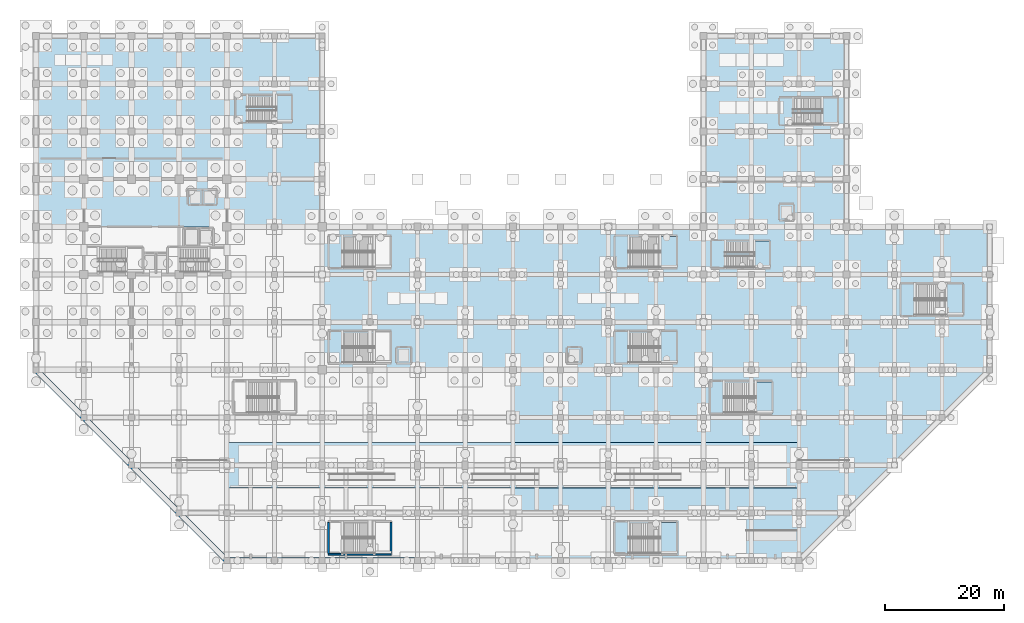
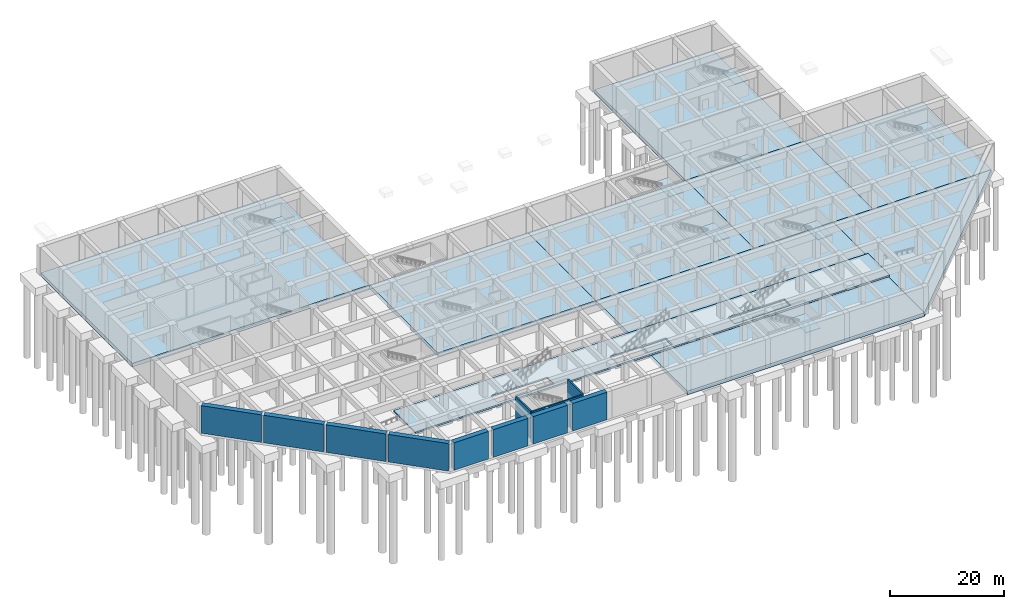
# One storey, part 14 of 26: 17 slabs, 11 walls, 8 elements without a shape of their own.
"""IFC4 building model written with IfcOpenShell, lengths in metres."""

from ifc_helpers import new_model, si_unit, direction, frame, frame_2d, origin, place, context, subcontext, project, spatial, polyline, rectangle, outline, extrude, material, layer, layer_set, type_object, element, aggregate, save


model = new_model("IFC4")

# Units and contexts
model_context = context("Model", 3, precision=1e-05, world=origin(), true_north=direction((0.0, 1.0)))
body_context = subcontext(model_context, "Body", "Model", "MODEL_VIEW")
ifc_project = project(units=[si_unit("LENGTHUNIT", "METRE"), si_unit("AREAUNIT", "SQUARE_METRE"), si_unit("VOLUMEUNIT", "CUBIC_METRE"), si_unit("PLANEANGLEUNIT", "RADIAN"), si_unit("MASSUNIT", "GRAM", prefix="KILO")], contexts=[model_context])

# Site, building, storey
site_placement = place(None, origin())
site = spatial("IfcSite", under=ifc_project, at=site_placement, CompositionType="ELEMENT")
building_placement = place(site_placement, origin())
building = spatial("IfcBuilding", under=site, at=building_placement, Name="Varnela Railside Interchange", CompositionType="ELEMENT")
storey_placement = place(building_placement, frame((0.0, 0.0, -12.60009765625)))
storey = spatial("IfcBuildingStorey", under=building, at=storey_placement, Name="B2", CompositionType="ELEMENT", Elevation=-12.60009765625)

# Slab
ifc_material_1 = material(Name="Concrete C40", Category="concrete")
ifc_layer_1 = layer(ifc_material_1, 0.35009765625)
ifc_layer_set_1 = layer_set([ifc_layer_1], Name="Concrete C40")
slab_type_1 = type_object("IfcSlabType", Name="Metro Island Platform Deck Slab SL-PLT", PredefinedType="FLOOR", material=ifc_layer_set_1)
slab_1_placement = place(storey_placement, frame((0.0, 0.0, 0.35009765625)))
element("IfcSlab", 1, at=slab_1_placement, inside=storey, type_object=slab_type_1, Name="Metro Island Platform Deck Slab SL-PLT (B2) (SL-0006)", PredefinedType="FLOOR", context=body_context, shape_type="SweptSolid", body=[
    extrude(outline(polyline([(36.0, 18.199951171875), (132.0, 18.199951171875), (132.0, 25.800048828125), (36.0, 25.800048828125), (36.0, 18.199951171875)]), holes=[polyline([(53.0, 18.85009765625), (64.39990234375, 18.85009765625), (64.39990234375, 21.14990234375), (53.0, 21.14990234375), (53.0, 18.85009765625)]), polyline([(77.0, 18.85009765625), (88.39990234375, 18.85009765625), (88.39990234375, 21.14990234375), (77.0, 21.14990234375), (77.0, 18.85009765625)]), polyline([(101.0, 18.85009765625), (112.39990234375, 18.85009765625), (112.39990234375, 21.14990234375), (101.0, 21.14990234375), (101.0, 18.85009765625)])]), origin(), (0.0, 0.0, 1.0), 0.35009765625),
])

# Stair, slab
stair_type_1 = type_object("IfcStairType", Name="Study Pavilion Stair ST-180", PredefinedType="TWO_STRAIGHT_RUN_STAIR", material=ifc_material_1)
stair_1_placement = place(storey_placement, origin())
stair_1 = element("IfcStair", 2, at=stair_1_placement, inside=storey, type_object=stair_type_1, Name="Stair ST-E1 (B2) (SF-013)", PredefinedType="TWO_STRAIGHT_RUN_STAIR")
ifc_layer_2 = layer(ifc_material_1, 0.159912109375)
ifc_layer_set_2 = layer_set([ifc_layer_2], Name="Concrete C40")
slab_type_2 = type_object("IfcSlabType", Name="Stair Half-Landing Slab SL-LD", PredefinedType="LANDING", material=ifc_layer_set_2)
slab_2_placement = place(storey_placement, frame((0.0, 0.0, 2.989990234375)))
slab_2 = element("IfcSlab", 3, at=slab_2_placement, type_object=slab_type_2, Name="ST-E1 landing 1 (SL-0018)", PredefinedType="LANDING", context=body_context, shape_type="SweptSolid", body=[
    extrude(outline(polyline([(124.5, 55.199951171875), (127.260009765625, 55.199951171875), (127.260009765625, 59.60009765625), (124.5, 59.60009765625), (124.5, 55.199951171875)])), origin(), (0.0, 0.0, 1.0), 0.16015625),
])
aggregate(stair_1, [slab_2])

stair_2_placement = place(storey_placement, origin())
stair_2 = element("IfcStair", 4, at=stair_2_placement, inside=storey, type_object=stair_type_1, Name="Stair ST-E2 (B2) (SF-016)", PredefinedType="TWO_STRAIGHT_RUN_STAIR")
slab_3_placement = place(storey_placement, frame((0.0, 0.0, 2.989990234375)))
slab_3 = element("IfcSlab", 5, at=slab_3_placement, type_object=slab_type_2, Name="ST-E2 landing 1 (SL-0019)", PredefinedType="LANDING", context=body_context, shape_type="SweptSolid", body=[
    extrude(outline(polyline([(135.89990234375, 79.199951171875), (138.659912109375, 79.199951171875), (138.659912109375, 83.60009765625), (135.89990234375, 83.60009765625), (135.89990234375, 79.199951171875)])), origin(), (0.0, 0.0, 1.0), 0.16015625),
])
aggregate(stair_2, [slab_3])

stair_type_2 = type_object("IfcStairType", Name="Concourse Public Stair ST-235", PredefinedType="TWO_STRAIGHT_RUN_STAIR", material=ifc_material_1)
stair_3_placement = place(storey_placement, origin())
stair_3 = element("IfcStair", 6, at=stair_3_placement, inside=storey, type_object=stair_type_2, Name="Stair ST-E3 (B2) (SF-019)", PredefinedType="TWO_STRAIGHT_RUN_STAIR")
slab_4_placement = place(storey_placement, frame((0.0, 0.0, 2.989990234375)))
slab_4 = element("IfcSlab", 7, at=slab_4_placement, type_object=slab_type_2, Name="ST-E3 landing 1 (SL-0020)", PredefinedType="LANDING", context=body_context, shape_type="SweptSolid", body=[
    extrude(outline(polyline([(156.72509765625, 47.199951171875), (159.659912109375, 47.199951171875), (159.659912109375, 52.39990234375), (156.72509765625, 52.39990234375), (156.72509765625, 47.199951171875)])), origin(), (0.0, 0.0, 1.0), 0.16015625),
])
aggregate(stair_3, [slab_4])

stair_4_placement = place(storey_placement, origin())
stair_4 = element("IfcStair", 8, at=stair_4_placement, inside=storey, type_object=stair_type_2, Name="Stair ST-C2 (B2) (SF-004)", PredefinedType="TWO_STRAIGHT_RUN_STAIR")
slab_5_placement = place(storey_placement, frame((0.0, 0.0, 2.989990234375)))
slab_5 = element("IfcSlab", 9, at=slab_5_placement, type_object=slab_type_2, Name="ST-C2 landing 1 (SL-0015)", PredefinedType="LANDING", context=body_context, shape_type="SweptSolid", body=[
    extrude(outline(polyline([(108.72509765625, 39.199951171875), (111.659912109375, 39.199951171875), (111.659912109375, 44.39990234375), (108.72509765625, 44.39990234375), (108.72509765625, 39.199951171875)])), origin(), (0.0, 0.0, 1.0), 0.16015625),
])
aggregate(stair_4, [slab_5])

stair_5_placement = place(storey_placement, origin())
stair_5 = element("IfcStair", 10, at=stair_5_placement, inside=storey, type_object=stair_type_2, Name="Stair ST-C4 (B2) (SF-010)", PredefinedType="TWO_STRAIGHT_RUN_STAIR")
slab_6_placement = place(storey_placement, frame((0.0, 0.0, 2.989990234375)))
slab_6 = element("IfcSlab", 11, at=slab_6_placement, type_object=slab_type_2, Name="ST-C4 landing 1 (SL-0017)", PredefinedType="LANDING", context=body_context, shape_type="SweptSolid", body=[
    extrude(outline(polyline([(108.72509765625, 55.199951171875), (111.659912109375, 55.199951171875), (111.659912109375, 60.39990234375), (108.72509765625, 60.39990234375), (108.72509765625, 55.199951171875)])), origin(), (0.0, 0.0, 1.0), 0.16015625),
])
aggregate(stair_5, [slab_6])

stair_6_placement = place(storey_placement, origin())
stair_6 = element("IfcStair", 12, at=stair_6_placement, inside=storey, type_object=stair_type_2, Name="Stair ST-M2 (B2) (SF-025)", PredefinedType="TWO_STRAIGHT_RUN_STAIR")
slab_7_placement = place(storey_placement, frame((0.0, 0.0, 2.989990234375)))
slab_7 = element("IfcSlab", 13, at=slab_7_placement, type_object=slab_type_2, Name="ST-M2 landing 1 (SL-0022)", PredefinedType="LANDING", context=body_context, shape_type="SweptSolid", body=[
    extrude(outline(polyline([(124.72509765625, 30.800048828125), (127.659912109375, 30.800048828125), (127.659912109375, 36.0), (124.72509765625, 36.0), (124.72509765625, 30.800048828125)])), origin(), (0.0, 0.0, 1.0), 0.16015625),
])
aggregate(stair_6, [slab_7])

stair_7_placement = place(storey_placement, origin())
stair_7 = element("IfcStair", 14, at=stair_7_placement, inside=storey, type_object=stair_type_2, Name="Stair ST-M4 (B2) (SF-031)", PredefinedType="TWO_STRAIGHT_RUN_STAIR")
slab_8_placement = place(storey_placement, frame((0.0, 0.0, 2.989990234375)))
slab_8 = element("IfcSlab", 15, at=slab_8_placement, type_object=slab_type_2, Name="ST-M4 landing 1 (SL-0024)", PredefinedType="LANDING", context=body_context, shape_type="SweptSolid", body=[
    extrude(outline(polyline([(108.72509765625, 7.199951171875), (111.659912109375, 7.199951171875), (111.659912109375, 12.39990234375), (108.72509765625, 12.39990234375), (108.72509765625, 7.199951171875)])), origin(), (0.0, 0.0, 1.0), 0.16015625),
])
aggregate(stair_7, [slab_8])

stair_8_placement = place(storey_placement, origin())
stair_8 = element("IfcStair", 16, at=stair_8_placement, inside=storey, type_object=stair_type_1, Name="Stair ST-W1 (B2) (SF-040)", PredefinedType="TWO_STRAIGHT_RUN_STAIR")
slab_9_placement = place(storey_placement, frame((0.0, 0.0, 2.989990234375)))
slab_9 = element("IfcSlab", 17, at=slab_9_placement, type_object=slab_type_2, Name="ST-W1 landing 1 (SL-0027)", PredefinedType="LANDING", context=body_context, shape_type="SweptSolid", body=[
    extrude(outline(polyline([(44.300048828125, 79.60009765625), (47.06005859375, 79.60009765625), (47.06005859375, 84.0), (44.300048828125, 84.0), (44.300048828125, 79.60009765625)])), origin(), (0.0, 0.0, 1.0), 0.16015625),
])
aggregate(stair_8, [slab_9])

# Slabs
ifc_layer_3 = layer(ifc_material_1, 0.800048828125)
ifc_layer_set_3 = layer_set([ifc_layer_3], Name="Concrete C40")
slab_type_3 = type_object("IfcSlabType", Name="Station Box Base Slab SL-B2", PredefinedType="BASESLAB", material=ifc_layer_set_3)
slab_10_placement = place(storey_placement, frame((0.0, 0.0, -0.7998046875)))
element("IfcSlab", 18, at=slab_10_placement, inside=storey, type_object=slab_type_3, Name="Station Box Base Slab SL-B2 (B2) (SL-0010)", PredefinedType="BASESLAB", context=body_context, shape_type="SweptSolid", body=[
    extrude(outline(polyline([(84.0, 6.0), (132.0, 6.0), (132.0, 38.0), (84.0, 38.0), (84.0, 6.0)])), origin(), (0.0, 0.0, 1.0), 0.7998046875),
])
slab_11_placement = place(storey_placement, frame((0.0, 0.0, -0.7998046875)))
element("IfcSlab", 19, at=slab_11_placement, inside=storey, type_object=slab_type_3, Name="Station Box Base Slab SL-B2 (B2) (SL-0011)", PredefinedType="BASESLAB", context=body_context, shape_type="SweptSolid", body=[
    extrude(outline(polyline([(132.0, 6.0), (164.0, 38.0), (132.0, 38.0), (132.0, 6.0)])), origin(), (0.0, 0.0, 1.0), 0.7998046875),
])
slab_12_placement = place(storey_placement, frame((0.0, 0.0, -0.7998046875)))
element("IfcSlab", 20, at=slab_12_placement, inside=storey, type_object=slab_type_3, Name="Station Box Base Slab SL-B2 (B2) (SL-0001)", PredefinedType="BASESLAB", context=body_context, shape_type="SweptSolid", body=[
    extrude(outline(polyline([(52.0, 38.0), (84.0, 38.0), (84.0, 62.0), (52.0, 62.0), (52.0, 38.0)])), origin(), (0.0, 0.0, 1.0), 0.7998046875),
])
slab_13_placement = place(storey_placement, frame((0.0, 0.0, -0.7998046875)))
element("IfcSlab", 21, at=slab_13_placement, inside=storey, type_object=slab_type_3, Name="Station Box Base Slab SL-B2 (B2) (SL-0002)", PredefinedType="BASESLAB", context=body_context, shape_type="SweptSolid", body=[
    extrude(outline(polyline([(84.0, 38.0), (116.0, 38.0), (116.0, 62.0), (84.0, 62.0), (84.0, 38.0)])), origin(), (0.0, 0.0, 1.0), 0.7998046875),
])
slab_14_placement = place(storey_placement, frame((0.0, 0.0, -0.7998046875)))
element("IfcSlab", 22, at=slab_14_placement, inside=storey, type_object=slab_type_3, Name="Station Box Base Slab SL-B2 (B2) (SL-0003)", PredefinedType="BASESLAB", context=body_context, shape_type="SweptSolid", body=[
    extrude(outline(polyline([(140.0, 38.0), (164.0, 38.0), (164.0, 62.0), (140.0, 62.0), (140.0, 38.0)])), origin(), (0.0, 0.0, 1.0), 0.7998046875),
])
slab_15_placement = place(storey_placement, frame((0.0, 0.0, -0.7998046875)))
element("IfcSlab", 23, at=slab_15_placement, inside=storey, type_object=slab_type_3, Name="Station Box Base Slab SL-B2 (B2) (SL-0004)", PredefinedType="BASESLAB", context=body_context, shape_type="SweptSolid", body=[
    extrude(outline(polyline([(116.0, 38.0), (140.0, 38.0), (140.0, 62.0), (116.0, 62.0), (116.0, 38.0)])), origin(), (0.0, 0.0, 1.0), 0.7998046875),
])
slab_16_placement = place(storey_placement, frame((0.0, 0.0, -0.7998046875)))
element("IfcSlab", 24, at=slab_16_placement, inside=storey, type_object=slab_type_3, Name="Station Box Base Slab SL-B2 (B2) (SL-0005)", PredefinedType="BASESLAB", context=body_context, shape_type="SweptSolid", body=[
    extrude(outline(polyline([(116.0, 62.0), (140.0, 62.0), (140.0, 94.0), (116.0, 94.0), (116.0, 62.0)])), origin(), (0.0, 0.0, 1.0), 0.7998046875),
])
slab_17_placement = place(storey_placement, frame((0.0, 0.0, -0.7998046875)))
element("IfcSlab", 25, at=slab_17_placement, inside=storey, type_object=slab_type_3, Name="Station Box Base Slab SL-B2 (B2) (SL-0013)", PredefinedType="BASESLAB", context=body_context, shape_type="SweptSolid", body=[
    extrude(outline(polyline([(4.0, 62.0), (52.0, 62.0), (52.0, 94.0), (4.0, 94.0), (4.0, 62.0)])), origin(), (0.0, 0.0, 1.0), 0.7998046875),
])

# Walls
ifc_material_2 = material(Name="Concrete C50", Category="concrete")
ifc_layer_4 = layer(ifc_material_2, 1.0)
ifc_layer_set_4 = layer_set([ifc_layer_4], Name="Concrete C50")
wall_type_1 = type_object("IfcWallType", Name="Perimeter Diaphragm Wall DW-01", PredefinedType="USERDEFINED", material=ifc_layer_set_4)
for number, where, z_axis, x_axis, name in (
    (26, (36.5, 6.0, 0.0), (0.0, 0.0, 1.0), (1.0, 0.0, 0.0), "Perimeter Diaphragm Wall DW-01 (B2) (WL-0064)"),
    (27, (44.5, 6.0, 0.0), (0.0, 0.0, 1.0), (1.0, 0.0, 0.0), "Perimeter Diaphragm Wall DW-01 (B2) (WL-0065)"),
    (28, (52.5, 6.0, 0.0), (0.0, 0.0, 1.0), (1.0, 0.0, 0.0), "Perimeter Diaphragm Wall DW-01 (B2) (WL-0068)"),
    (29, (60.5, 6.0, 0.0), (0.0, 0.0, 1.0), (1.0, 0.0, 0.0), "Perimeter Diaphragm Wall DW-01 (B2) (WL-0069)"),
):
    element("IfcWall", number, at=place(storey_placement, frame(where, z_axis=z_axis, x_axis=x_axis)), inside=storey, type_object=wall_type_1, Name=name, ObjectType="RETAININGWALL", PredefinedType="USERDEFINED", context=body_context, shape_type="SweptSolid", body=[
        extrude(rectangle(XDim=7.0, YDim=1.0, at=frame_2d((3.5, 0.0))), origin(), (0.0, 0.0, 1.0), 5.900146484375),
    ])
for number, where, z_axis, x_axis, name in (
    (30, (4.146484375, 37.853515625, 0.0), (0.0, 0.0, 1.0), (0.707106781187, -0.707106781187, 0.0), "Perimeter Diaphragm Wall DW-01 (B2) (WL-0060)"),
    (31, (12.146484375, 29.853515625, 0.0), (0.0, 0.0, 1.0), (0.707106781187, -0.707106781187, 0.0), "Perimeter Diaphragm Wall DW-01 (B2) (WL-0061)"),
    (32, (20.146484375, 21.853515625, 0.0), (0.0, 0.0, 1.0), (0.707106781187, -0.707106781187, 0.0), "Perimeter Diaphragm Wall DW-01 (B2) (WL-0062)"),
    (33, (28.146484375, 13.853515625, 0.0), (0.0, 0.0, 1.0), (0.707106781187, -0.707106781187, 0.0), "Perimeter Diaphragm Wall DW-01 (B2) (WL-0063)"),
):
    element("IfcWall", number, at=place(storey_placement, frame(where, z_axis=z_axis, x_axis=x_axis)), inside=storey, type_object=wall_type_1, Name=name, ObjectType="RETAININGWALL", PredefinedType="USERDEFINED", context=body_context, shape_type="SweptSolid", body=[
        extrude(rectangle(XDim=10.8994140625, YDim=1.0, at=frame_2d((5.44970703125, 0.0))), origin(), (0.0, 0.0, 1.0), 5.900146484375),
    ])
ifc_layer_5 = layer(ifc_material_2, 0.300048828125)
ifc_layer_set_5 = layer_set([ifc_layer_5], Name="Concrete C50")
wall_type_2 = type_object("IfcWallType", Name="Stair & Lift Shaft Wall SW-03", PredefinedType="SHEAR", material=ifc_layer_set_5)
wall_placement = place(storey_placement, frame((53.050048828125, 7.050048828125, 0.0), z_axis=(0.0, 0.0, 1.0), x_axis=(1.0, 0.0, 0.0)))
element("IfcWall", 34, at=wall_placement, inside=storey, type_object=wall_type_2, Name="Stair & Lift Shaft Wall SW-03 (B2) (WL-0143)", PredefinedType="SHEAR", context=body_context, shape_type="SweptSolid", body=[
    extrude(rectangle(XDim=10.5, YDim=0.300048828125, at=frame_2d((5.25, 0.0))), origin(), (0.0, 0.0, 1.0), 5.900146484375),
])
for number, where, z_axis, x_axis, name in (
    (35, (53.050048828125, 7.199951171875, 0.0), (0.0, 0.0, 1.0), (0.0, 1.0, 0.0), "Stair & Lift Shaft Wall SW-03 (B2) (WL-0144)"),
    (36, (63.550048828125, 7.199951171875, 0.0), (0.0, 0.0, 1.0), (0.0, 1.0, 0.0), "Stair & Lift Shaft Wall SW-03 (B2) (WL-0141)"),
):
    element("IfcWall", number, at=place(storey_placement, frame(where, z_axis=z_axis, x_axis=x_axis)), inside=storey, type_object=wall_type_2, Name=name, PredefinedType="SHEAR", context=body_context, shape_type="SweptSolid", body=[
        extrude(rectangle(XDim=5.199951171875, YDim=0.300048828125, at=frame_2d((2.60009765625, 0.0))), origin(), (0.0, 0.0, 1.0), 5.900146484375),
    ])

save(model, "model.ifc")
